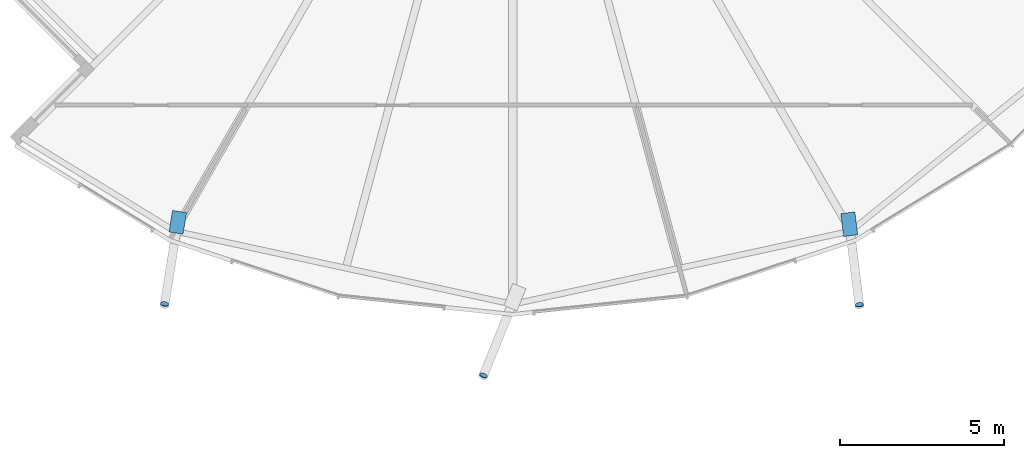
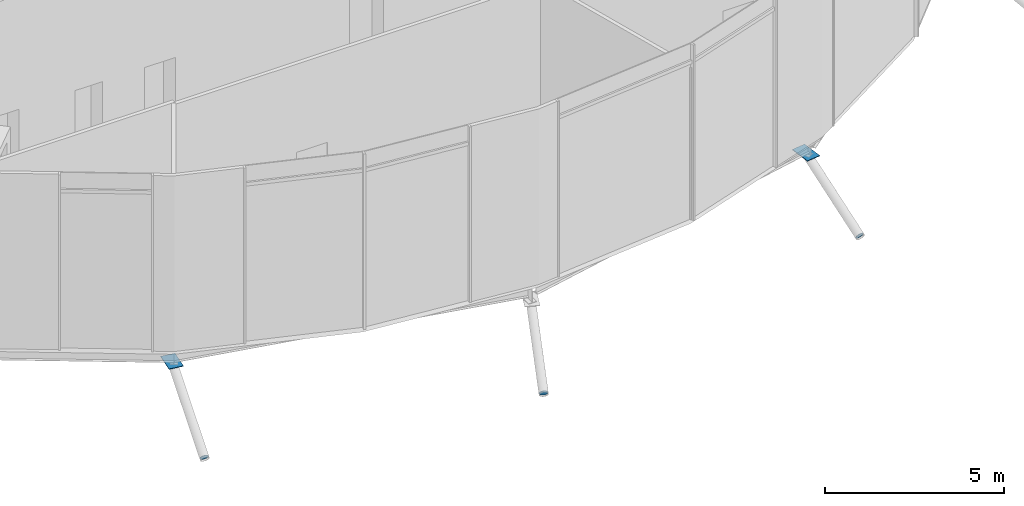
# One storey, part 26 of 38: 5 discrete accessories.
"""IFC4 building model written with IfcOpenShell, lengths in metres."""

from ifc_helpers import new_model, si_unit, direction, frame, origin, origin_2d, place, context, subcontext, project, spatial, polyline, rectangle, circle, outline, extrude, material, material_profile, profile_set, type_object, element, save


model = new_model("IFC4")

# Units and contexts
model_context = context("Model", 3, precision=1e-05, world=origin(), true_north=direction((0.0, 1.0)))
body_context = subcontext(model_context, "Body", "Model", "MODEL_VIEW")
ifc_project = project(units=[si_unit("LENGTHUNIT", "METRE"), si_unit("AREAUNIT", "SQUARE_METRE"), si_unit("VOLUMEUNIT", "CUBIC_METRE"), si_unit("PLANEANGLEUNIT", "RADIAN"), si_unit("MASSUNIT", "GRAM", prefix="KILO")], contexts=[model_context])

# Site, building, storey
site_placement = place(None, origin())
site = spatial("IfcSite", under=ifc_project, at=site_placement, CompositionType="ELEMENT")
building_placement = place(site_placement, origin())
building = spatial("IfcBuilding", under=site, at=building_placement, Name="Rimbun Link Towers", CompositionType="ELEMENT")
storey_placement = place(building_placement, frame((0.0, 0.0, 133.199951171875)))
storey = spatial("IfcBuildingStorey", under=building, at=storey_placement, Name="L32", CompositionType="ELEMENT", Elevation=133.199951171875)

# Discrete accessories
ifc_material_1 = material(Name="Steel S355J2H", Category="steel")
ifc_material_profile_1 = material_profile(ifc_material_1, circle(Radius=0.1240234375, at=origin_2d()), Name="PL D248")
ifc_profile_set_1 = profile_set([ifc_material_profile_1], Name="Steel S355J2H")
discrete_accessory_type_1 = type_object("IfcDiscreteAccessoryType", Name="Link foot sealing plate D248X20", PredefinedType="BRACKET", material=ifc_profile_set_1)
discrete_accessory_1_placement = place(storey_placement, frame((-42.352783203125, -20.051513671875, -2.409423828125), z_axis=(-0.146559590624, -0.830504346868, -0.537385165621), x_axis=(0.984783558818, -0.173785333909, 0.0)))
element("IfcDiscreteAccessory", 1, at=discrete_accessory_1_placement, inside=storey, type_object=discrete_accessory_type_1, Name="Link foot sealing plate T1 L32 16", PredefinedType="BRACKET", context=body_context, shape_type="SweptSolid", body=[
    extrude(circle(Radius=0.1240234375, at=origin_2d()), origin(), (0.0, 0.0, 1.0), 0.02001953125),
])
discrete_accessory_2_placement = place(storey_placement, frame((-32.639404296875, -22.2265625, -2.295166015625), z_axis=(-0.321183527812, -0.815312032139, -0.481775291719), x_axis=(0.930408392817, -0.366524518382, 0.0)))
element("IfcDiscreteAccessory", 2, at=discrete_accessory_2_placement, inside=storey, type_object=discrete_accessory_type_1, Name="Link foot sealing plate T1 L32 18", PredefinedType="BRACKET", context=body_context, shape_type="SweptSolid", body=[
    extrude(circle(Radius=0.1240234375, at=origin_2d()), origin(), (0.0, 0.0, 1.0), 0.019775390625),
])
discrete_accessory_3_placement = place(storey_placement, frame((-21.19091796875, -20.073486328125, -2.2373046875), z_axis=(0.108457352844, -0.855608005772, -0.506134313274), x_axis=(0.992061421937, 0.125754264753, 0.0)))
element("IfcDiscreteAccessory", 3, at=discrete_accessory_3_placement, inside=storey, type_object=discrete_accessory_type_1, Name="Link foot sealing plate T1 L32 20", PredefinedType="BRACKET", context=body_context, shape_type="SweptSolid", body=[
    extrude(circle(Radius=0.1240234375, at=origin_2d()), origin(), (0.0, 0.0, 1.0), 0.020263671875),
])
ifc_material_2 = material(Name="Steel S355J2H", Category="steel")
ifc_material_profile_2 = material_profile(ifc_material_2, rectangle(XDim=0.43310546875, YDim=0.43310546875, at=origin_2d()), Name="PL 433x433")
ifc_profile_set_2 = profile_set([ifc_material_profile_2], Name="Steel S355J2H")
discrete_accessory_type_2 = type_object("IfcDiscreteAccessoryType", Name="Link head end plate 433X20", PredefinedType="BRACKET", material=ifc_profile_set_2)
discrete_accessory_4_placement = place(storey_placement, frame((0.0, 0.0, -0.802490234375)))
element("IfcDiscreteAccessory", 4, at=discrete_accessory_4_placement, inside=storey, type_object=discrete_accessory_type_2, Name="Link head end plate T1 L32 16", PredefinedType="BRACKET", context=body_context, shape_type="SweptSolid", body=[
    extrude(outline(polyline([(-42.115234375, -17.205078125), (-42.220947265625, -17.863525390625), (-41.79345703125, -17.93212890625), (-41.687744140625, -17.273681640625), (-42.115234375, -17.205078125)])), origin(), (0.0, 0.0, 1.0), 0.02001953125),
])
discrete_accessory_5_placement = place(storey_placement, frame((0.0, 0.0, -0.802490234375)))
element("IfcDiscreteAccessory", 5, at=discrete_accessory_5_placement, inside=storey, type_object=discrete_accessory_type_2, Name="Link head end plate T1 L32 20", PredefinedType="BRACKET", context=body_context, shape_type="SweptSolid", body=[
    extrude(outline(polyline([(-21.756591796875, -17.3046875), (-21.669189453125, -18.002197265625), (-21.239501953125, -17.9482421875), (-21.326904296875, -17.250732421875), (-21.756591796875, -17.3046875)])), origin(), (0.0, 0.0, 1.0), 0.02001953125),
])

save(model, "model.ifc")
